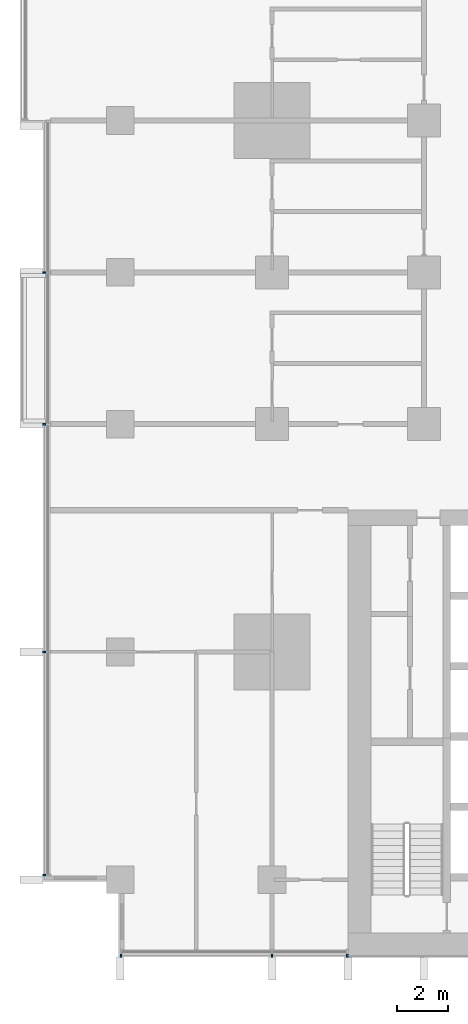
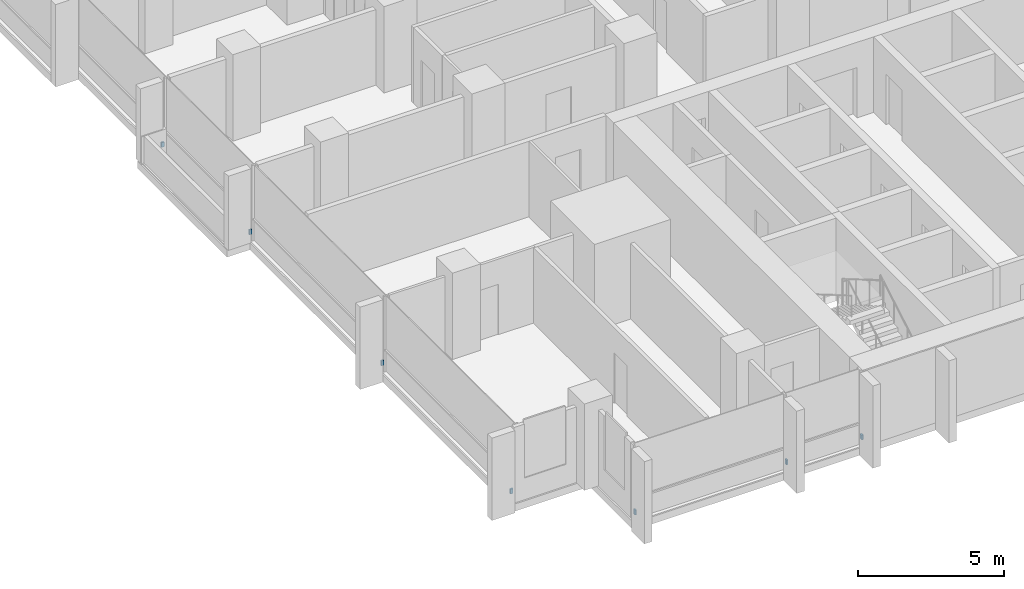
# One storey, part 14 of 18: 7 discrete accessories.
"""IFC4 building model written with IfcOpenShell, lengths in metres."""

from ifc_helpers import new_model, si_unit, direction, frame, origin, origin_2d, place, context, subcontext, project, spatial, rectangle, extrude, material, type_object, element, save


model = new_model("IFC4")

# Units and contexts
model_context = context("Model", 3, precision=1e-05, world=origin(), true_north=direction((0.0, 1.0)))
body_context = subcontext(model_context, "Body", "Model", "MODEL_VIEW")
ifc_project = project(units=[si_unit("LENGTHUNIT", "METRE"), si_unit("AREAUNIT", "SQUARE_METRE"), si_unit("VOLUMEUNIT", "CUBIC_METRE"), si_unit("PLANEANGLEUNIT", "RADIAN"), si_unit("MASSUNIT", "GRAM", prefix="KILO")], contexts=[model_context])

# Site, building, storey
site_placement = place(None, origin())
site = spatial("IfcSite", under=ifc_project, at=site_placement, CompositionType="ELEMENT")
building_placement = place(site_placement, origin())
building = spatial("IfcBuilding", under=site, at=building_placement, Name="Finial Court Residences", CompositionType="ELEMENT")
storey_placement = place(building_placement, frame((0.0, 0.0, 72.10009765625)))
storey = spatial("IfcBuildingStorey", under=building, at=storey_placement, Name="L17", CompositionType="ELEMENT", Elevation=72.10009765625)

# Discrete accessories
ifc_material = material(Name="Stainless steel 316", Category="steel")
discrete_accessory_type = type_object("IfcDiscreteAccessoryType", Name="Fin bracket, stainless steel 65 x 110 x 200", PredefinedType="BRACKET", material=ifc_material)
for number, where, z_axis, x_axis, name in (
    (1, (-22.467529296875, -25.5048828125, 0.2998046875), (0.0, 0.0, 1.0), (1.0, 0.0, 0.0), "E-L17-FIN-S17-BRK"),
    (2, (-16.5, -25.5048828125, 0.2998046875), (0.0, 0.0, 1.0), (1.0, 0.0, 0.0), "E-L17-FIN-S18-BRK"),
    (3, (-13.532470703125, -25.5048828125, 0.2998046875), (0.0, 0.0, 1.0), (1.0, 0.0, 0.0), "E-L17-FIN-S19-BRK"),
):
    element("IfcDiscreteAccessory", number, at=place(storey_placement, frame(where, z_axis=z_axis, x_axis=x_axis)), inside=storey, type_object=discrete_accessory_type, Name=name, PredefinedType="BRACKET", context=body_context, shape_type="SweptSolid", body=[
        extrude(rectangle(XDim=0.06494140625, YDim=0.110107421875, at=origin_2d()), origin(), (0.0, 0.0, 1.0), 0.199951171875),
    ])
for number, where, z_axis, x_axis, name in (
    (4, (-25.5048828125, -22.3173828125, 0.2998046875), (0.0, 0.0, 1.0), (1.0, 0.0, 0.0), "E-L17-FIN-W27-BRK"),
    (5, (-25.5048828125, -13.5, 0.2998046875), (0.0, 0.0, 1.0), (1.0, 0.0, 0.0), "E-L17-FIN-W28-BRK"),
    (6, (-25.5048828125, -4.5, 0.2998046875), (0.0, 0.0, 1.0), (1.0, 0.0, 0.0), "E-L17-FIN-W29-BRK"),
    (7, (-25.5048828125, 1.5, 0.2998046875), (0.0, 0.0, 1.0), (1.0, 0.0, 0.0), "E-L17-FIN-W30-BRK"),
):
    element("IfcDiscreteAccessory", number, at=place(storey_placement, frame(where, z_axis=z_axis, x_axis=x_axis)), inside=storey, type_object=discrete_accessory_type, Name=name, PredefinedType="BRACKET", context=body_context, shape_type="SweptSolid", body=[
        extrude(rectangle(XDim=0.110107421875, YDim=0.06494140625, at=origin_2d()), origin(), (0.0, 0.0, 1.0), 0.199951171875),
    ])

save(model, "model.ifc")
